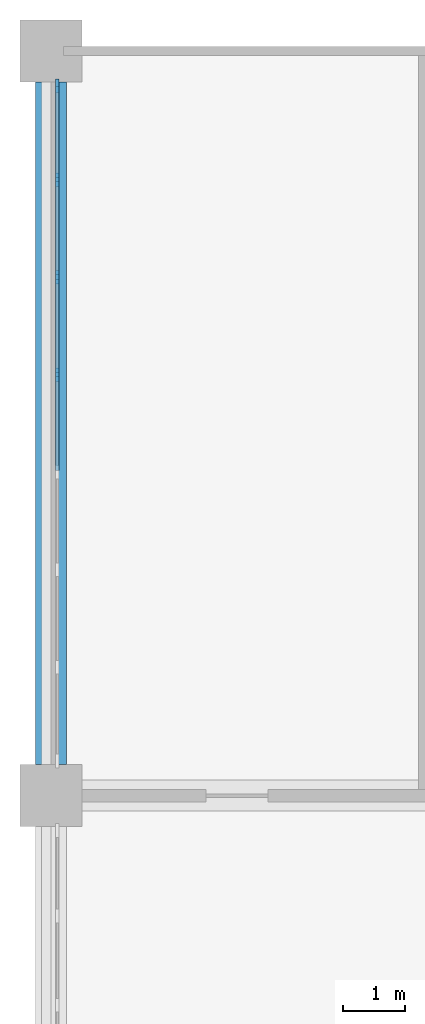
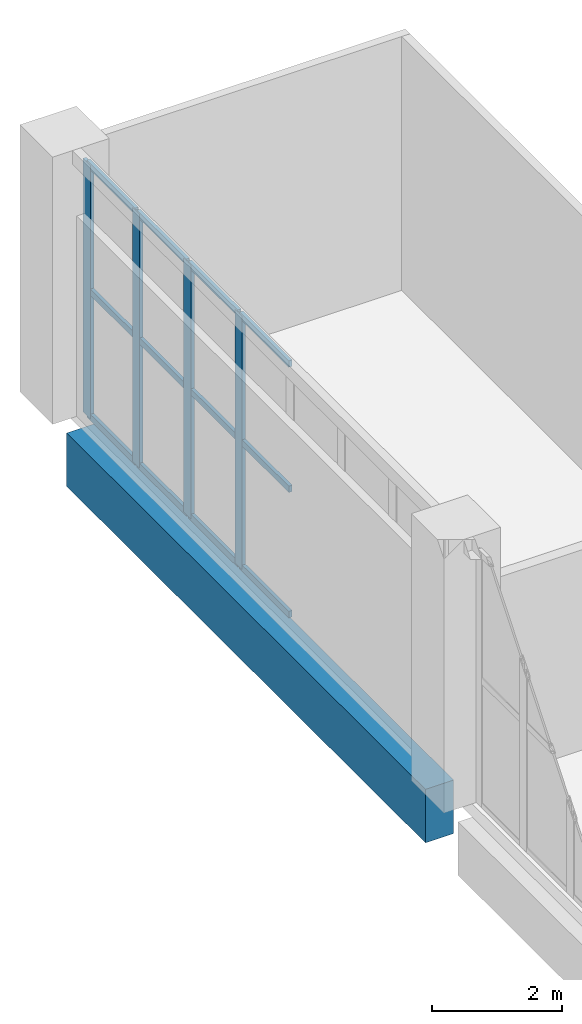
# One storey, part 38 of 69: 16 members, 1 beam, 1 element without a shape of its own.
"""IFC4 building model written with IfcOpenShell, lengths in metres."""

from ifc_helpers import new_model, si_unit, direction, frame, origin, origin_2d, place, context, subcontext, project, spatial, rectangle, extrude, material, layer, layer_set, material_profile, profile_set, type_object, element, aggregate, save


model = new_model("IFC4")

# Units and contexts
model_context = context("Model", 3, precision=1e-05, world=origin(), true_north=direction((0.0, 1.0)))
body_context = subcontext(model_context, "Body", "Model", "MODEL_VIEW")
ifc_project = project(units=[si_unit("LENGTHUNIT", "METRE"), si_unit("AREAUNIT", "SQUARE_METRE"), si_unit("VOLUMEUNIT", "CUBIC_METRE"), si_unit("PLANEANGLEUNIT", "RADIAN"), si_unit("MASSUNIT", "GRAM", prefix="KILO")], contexts=[model_context])

# Site, building, storey
site_placement = place(None, origin())
site = spatial("IfcSite", under=ifc_project, at=site_placement, CompositionType="ELEMENT")
building_placement = place(site_placement, origin())
building = spatial("IfcBuilding", under=site, at=building_placement, Name="Lilac Gate Convention Centre", CompositionType="ELEMENT")
storey_placement = place(building_placement, frame((0.0, 0.0, 12.0)))
storey = spatial("IfcBuildingStorey", under=building, at=storey_placement, Name="L02", CompositionType="ELEMENT", Elevation=12.0)

# Curtain wall, members
ifc_material_1 = material(Name="Aluminium framed double glazing", Category="aluminium")
ifc_layer = layer(ifc_material_1, 0.199951171875)
ifc_layer_set = layer_set([ifc_layer], Name="Aluminium framed double glazing")
curtain_wall_type = type_object("IfcCurtainWallType", Name="Unitised curtain wall 1500", PredefinedType="NOTDEFINED", material=ifc_layer_set)
curtain_wall_placement = place(storey_placement, origin())
curtain_wall = element("IfcCurtainWall", 1, at=curtain_wall_placement, inside=storey, type_object=curtain_wall_type, Name="Curtain wall GW L02 1", PredefinedType="NOTDEFINED")
ifc_material_2 = material(Name="Aluminium alloy 6063", Category="aluminium")
ifc_material_profile_1 = material_profile(ifc_material_2, rectangle(XDim=0.06005859375, YDim=0.219970703125, at=origin_2d()), Name="Curtain wall mullion 60 x 220")
ifc_profile_set_1 = profile_set([ifc_material_profile_1], Name="Aluminium alloy 6063")
member_type_1 = type_object("IfcMemberType", Name="Curtain wall mullion 60 x 220", PredefinedType="MULLION", material=ifc_profile_set_1)
member_1_placement = place(storey_placement, frame((6.10009765625, 245.43994140625, 0.0), z_axis=(0.0, 0.0, 1.0), x_axis=(1.0, 0.0, 0.0)))
member_1 = element("IfcMember", 2, at=member_1_placement, type_object=member_type_1, Name="CW mullion 1", PredefinedType="MULLION", context=body_context, shape_type="SweptSolid", body=[
    extrude(rectangle(XDim=0.06005859375, YDim=0.219970703125, at=origin_2d()), origin(), (0.0, 0.0, 1.0), 4.75),
])
member_2_placement = place(storey_placement, frame((6.10009765625, 243.928466796875, 0.0), z_axis=(0.0, 0.0, 1.0), x_axis=(1.0, 0.0, 0.0)))
member_2 = element("IfcMember", 3, at=member_2_placement, type_object=member_type_1, Name="CW mullion 2", PredefinedType="MULLION", context=body_context, shape_type="SweptSolid", body=[
    extrude(rectangle(XDim=0.06005859375, YDim=0.219970703125, at=origin_2d()), origin(), (0.0, 0.0, 1.0), 4.75),
])
member_3_placement = place(storey_placement, frame((6.10009765625, 242.357177734375, 0.0), z_axis=(0.0, 0.0, 1.0), x_axis=(1.0, 0.0, 0.0)))
member_3 = element("IfcMember", 4, at=member_3_placement, type_object=member_type_1, Name="CW mullion 3", PredefinedType="MULLION", context=body_context, shape_type="SweptSolid", body=[
    extrude(rectangle(XDim=0.06005859375, YDim=0.219970703125, at=origin_2d()), origin(), (0.0, 0.0, 1.0), 4.75),
])
member_4_placement = place(storey_placement, frame((6.10009765625, 240.78564453125, 0.0), z_axis=(0.0, 0.0, 1.0), x_axis=(1.0, 0.0, 0.0)))
member_4 = element("IfcMember", 5, at=member_4_placement, type_object=member_type_1, Name="CW mullion 4", PredefinedType="MULLION", context=body_context, shape_type="SweptSolid", body=[
    extrude(rectangle(XDim=0.06005859375, YDim=0.219970703125, at=origin_2d()), origin(), (0.0, 0.0, 1.0), 4.75),
])
ifc_material_profile_2 = material_profile(ifc_material_2, rectangle(XDim=0.06005859375, YDim=0.1201171875, at=origin_2d()), Name="Curtain wall transom 60 x 120")
ifc_profile_set_2 = profile_set([ifc_material_profile_2], Name="Aluminium alloy 6063")
member_type_2 = type_object("IfcMemberType", Name="Curtain wall transom 60 x 120", PredefinedType="USERDEFINED", material=ifc_profile_set_2)
member_5_placement = place(storey_placement, frame((6.10009765625, 245.43994140625, 0.030029296875), z_axis=(0.0, -1.0, 0.0), x_axis=(1.0, 0.0, 0.0)))
member_5 = element("IfcMember", 6, at=member_5_placement, type_object=member_type_2, Name="CW transom 1.1", ObjectType="TRANSOM", PredefinedType="USERDEFINED", context=body_context, shape_type="SweptSolid", body=[
    extrude(rectangle(XDim=0.06005859375, YDim=0.1201171875, at=origin_2d()), origin(), (0.0, 0.0, 1.0), 1.4814453125),
])
member_6_placement = place(storey_placement, frame((6.10009765625, 245.43994140625, 2.375), z_axis=(0.0, -1.0, 0.0), x_axis=(1.0, 0.0, 0.0)))
member_6 = element("IfcMember", 7, at=member_6_placement, type_object=member_type_2, Name="CW transom 1.2", ObjectType="TRANSOM", PredefinedType="USERDEFINED", context=body_context, shape_type="SweptSolid", body=[
    extrude(rectangle(XDim=0.06005859375, YDim=0.1201171875, at=origin_2d()), origin(), (0.0, 0.0, 1.0), 1.4814453125),
])
member_7_placement = place(storey_placement, frame((6.10009765625, 245.43994140625, 4.719970703125), z_axis=(0.0, -1.0, 0.0), x_axis=(1.0, 0.0, 0.0)))
member_7 = element("IfcMember", 8, at=member_7_placement, type_object=member_type_2, Name="CW transom 1.3", ObjectType="TRANSOM", PredefinedType="USERDEFINED", context=body_context, shape_type="SweptSolid", body=[
    extrude(rectangle(XDim=0.06005859375, YDim=0.1201171875, at=origin_2d()), origin(), (0.0, 0.0, 1.0), 1.4814453125),
])
member_8_placement = place(storey_placement, frame((6.10009765625, 243.898681640625, 0.030029296875), z_axis=(0.0, -1.0, 0.0), x_axis=(1.0, 0.0, 0.0)))
member_8 = element("IfcMember", 9, at=member_8_placement, type_object=member_type_2, Name="CW transom 2.1", ObjectType="TRANSOM", PredefinedType="USERDEFINED", context=body_context, shape_type="SweptSolid", body=[
    extrude(rectangle(XDim=0.06005859375, YDim=0.1201171875, at=origin_2d()), origin(), (0.0, 0.0, 1.0), 1.511474609375),
])
member_9_placement = place(storey_placement, frame((6.10009765625, 243.898681640625, 2.375), z_axis=(0.0, -1.0, 0.0), x_axis=(1.0, 0.0, 0.0)))
member_9 = element("IfcMember", 10, at=member_9_placement, type_object=member_type_2, Name="CW transom 2.2", ObjectType="TRANSOM", PredefinedType="USERDEFINED", context=body_context, shape_type="SweptSolid", body=[
    extrude(rectangle(XDim=0.06005859375, YDim=0.1201171875, at=origin_2d()), origin(), (0.0, 0.0, 1.0), 1.511474609375),
])
member_10_placement = place(storey_placement, frame((6.10009765625, 243.898681640625, 4.719970703125), z_axis=(0.0, -1.0, 0.0), x_axis=(1.0, 0.0, 0.0)))
member_10 = element("IfcMember", 11, at=member_10_placement, type_object=member_type_2, Name="CW transom 2.3", ObjectType="TRANSOM", PredefinedType="USERDEFINED", context=body_context, shape_type="SweptSolid", body=[
    extrude(rectangle(XDim=0.06005859375, YDim=0.1201171875, at=origin_2d()), origin(), (0.0, 0.0, 1.0), 1.511474609375),
])
member_11_placement = place(storey_placement, frame((6.10009765625, 242.3271484375, 0.030029296875), z_axis=(0.0, -1.0, 0.0), x_axis=(1.0, 0.0, 0.0)))
member_11 = element("IfcMember", 12, at=member_11_placement, type_object=member_type_2, Name="CW transom 3.1", ObjectType="TRANSOM", PredefinedType="USERDEFINED", context=body_context, shape_type="SweptSolid", body=[
    extrude(rectangle(XDim=0.06005859375, YDim=0.1201171875, at=origin_2d()), origin(), (0.0, 0.0, 1.0), 1.511474609375),
])
member_12_placement = place(storey_placement, frame((6.10009765625, 242.3271484375, 2.375), z_axis=(0.0, -1.0, 0.0), x_axis=(1.0, 0.0, 0.0)))
member_12 = element("IfcMember", 13, at=member_12_placement, type_object=member_type_2, Name="CW transom 3.2", ObjectType="TRANSOM", PredefinedType="USERDEFINED", context=body_context, shape_type="SweptSolid", body=[
    extrude(rectangle(XDim=0.06005859375, YDim=0.1201171875, at=origin_2d()), origin(), (0.0, 0.0, 1.0), 1.511474609375),
])
member_13_placement = place(storey_placement, frame((6.10009765625, 242.3271484375, 4.719970703125), z_axis=(0.0, -1.0, 0.0), x_axis=(1.0, 0.0, 0.0)))
member_13 = element("IfcMember", 14, at=member_13_placement, type_object=member_type_2, Name="CW transom 3.3", ObjectType="TRANSOM", PredefinedType="USERDEFINED", context=body_context, shape_type="SweptSolid", body=[
    extrude(rectangle(XDim=0.06005859375, YDim=0.1201171875, at=origin_2d()), origin(), (0.0, 0.0, 1.0), 1.511474609375),
])
member_14_placement = place(storey_placement, frame((6.10009765625, 240.755615234375, 0.030029296875), z_axis=(0.0, -1.0, 0.0), x_axis=(1.0, 0.0, 0.0)))
member_14 = element("IfcMember", 15, at=member_14_placement, type_object=member_type_2, Name="CW transom 4.1", ObjectType="TRANSOM", PredefinedType="USERDEFINED", context=body_context, shape_type="SweptSolid", body=[
    extrude(rectangle(XDim=0.06005859375, YDim=0.1201171875, at=origin_2d()), origin(), (0.0, 0.0, 1.0), 1.51123046875),
])
member_15_placement = place(storey_placement, frame((6.10009765625, 240.755615234375, 2.375), z_axis=(0.0, -1.0, 0.0), x_axis=(1.0, 0.0, 0.0)))
member_15 = element("IfcMember", 16, at=member_15_placement, type_object=member_type_2, Name="CW transom 4.2", ObjectType="TRANSOM", PredefinedType="USERDEFINED", context=body_context, shape_type="SweptSolid", body=[
    extrude(rectangle(XDim=0.06005859375, YDim=0.1201171875, at=origin_2d()), origin(), (0.0, 0.0, 1.0), 1.51123046875),
])
member_16_placement = place(storey_placement, frame((6.10009765625, 240.755615234375, 4.719970703125), z_axis=(0.0, -1.0, 0.0), x_axis=(1.0, 0.0, 0.0)))
member_16 = element("IfcMember", 17, at=member_16_placement, type_object=member_type_2, Name="CW transom 4.3", ObjectType="TRANSOM", PredefinedType="USERDEFINED", context=body_context, shape_type="SweptSolid", body=[
    extrude(rectangle(XDim=0.06005859375, YDim=0.1201171875, at=origin_2d()), origin(), (0.0, 0.0, 1.0), 1.51123046875),
])
aggregate(curtain_wall, [member_1, member_2, member_3, member_4, member_5, member_6, member_7, member_8, member_9, member_10, member_11, member_12, member_13, member_14, member_15, member_16])

# Beam
ifc_material_3 = material(Name="Concrete C40", Category="concrete")
ifc_material_profile_3 = material_profile(ifc_material_3, rectangle(XDim=0.5, YDim=1.0, at=origin_2d()), Name="RC 500x1000")
ifc_profile_set_3 = profile_set([ifc_material_profile_3], Name="Concrete C40")
beam_type = type_object("IfcBeamType", Name="Primary beam 500x1000 C40", PredefinedType="BEAM", material=ifc_profile_set_3)
beam_placement = place(storey_placement, frame((6.0, 234.5, -0.75), z_axis=(0.0, 1.0, 0.0), x_axis=(-1.0, 0.0, 0.0)))
element("IfcBeam", 18, at=beam_placement, inside=storey, type_object=beam_type, Name="RB1 L02 1/T-1/U", PredefinedType="BEAM", context=body_context, shape_type="SweptSolid", body=[
    extrude(rectangle(XDim=0.5, YDim=1.0, at=origin_2d()), origin(), (0.0, 0.0, 1.0), 11.0),
])

save(model, "model.ifc")
